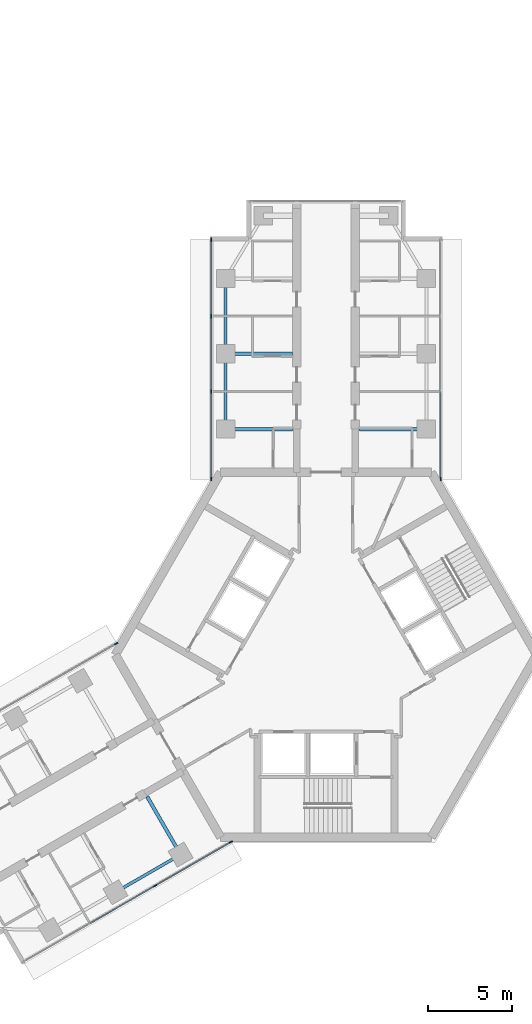
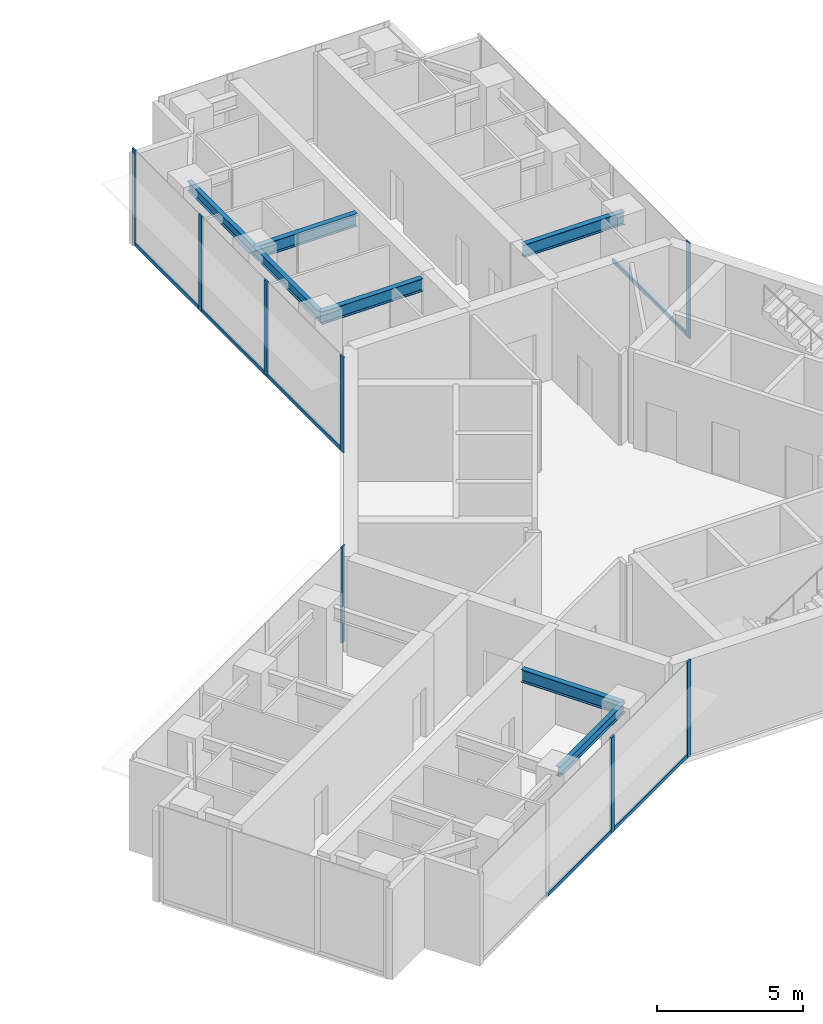
# One storey, part 8 of 18: 14 members, 7 beams, 4 elements without a shape of their own.
"""IFC4 building model written with IfcOpenShell, lengths in metres."""

import ifcopenshell
import ifcopenshell.guid

model = None  # the IFC model being written
_history = None  # IfcOwnerHistory: only IFC2X3 demands one
_inside = {}  # id of a spatial element -> (the spatial element, [elements in it])
_under = {}  # id of a project, library or spatial element -> (it, [spatial elements below it])
_declared = {}  # id of a project -> (the project, [libraries it declares])
_typed = {}  # id of a type object -> (the type object, [elements of that type])
_made_of = {}  # id of a material, layer set ... -> (it, [elements and type objects made of it])


def new_model(schema):
    """Start an empty IFC model of exactly this schema.

    Asked for "IFC4X3", IfcOpenShell would pick the latest addendum, in which some entities
    have other attributes; the version numbers below select the first issue.
    IFC2X3 requires an IfcOwnerHistory on every rooted entity: one is made here for all.
    """
    global model, _history
    if schema == "IFC4X3":
        model = ifcopenshell.file(schema_version=(4, 3, 0, 0))
    else:
        model = ifcopenshell.file(schema=schema)
    _inside.clear()
    _under.clear()
    _declared.clear()
    _typed.clear()
    _made_of.clear()
    _history = None
    if model.schema == "IFC2X3":
        org = make("IfcOrganization", Name="unknown")
        user = make(
            "IfcPersonAndOrganization",
            ThePerson=make("IfcPerson", FamilyName="unknown"),
            TheOrganization=org,
        )
        app = make(
            "IfcApplication",
            ApplicationDeveloper=org,
            Version="unknown",
            ApplicationFullName="unknown",
            ApplicationIdentifier="unknown",
        )
        _history = make(
            "IfcOwnerHistory",
            OwningUser=user,
            OwningApplication=app,
            ChangeAction="ADDED",
            CreationDate=0,
        )
    return model


def make(cls, **values):
    """One entity of the class cls with the attributes given. An attribute that is None is left unset."""
    return model.create_entity(
        cls, **{name: value for name, value in values.items() if value is not None}
    )


def rooted(cls, **values):
    """An entity with a GlobalId (a new one), such as an element, a storey or a relation."""
    return make(cls, GlobalId=ifcopenshell.guid.new(), OwnerHistory=_history, **values)


def si_unit(unit_type, name, prefix=None):
    """IfcSIUnit, for example si_unit("LENGTHUNIT", "METRE", prefix="MILLI")."""
    return make("IfcSIUnit", UnitType=unit_type, Prefix=prefix, Name=name)


def assignment(units):
    """IfcUnitAssignment: the units of a project."""
    return None if units is None else make("IfcUnitAssignment", Units=units)


def point(xyz):
    """IfcCartesianPoint."""
    return None if xyz is None else make("IfcCartesianPoint", Coordinates=xyz)


def direction(xyz):
    """IfcDirection."""
    return None if xyz is None else make("IfcDirection", DirectionRatios=xyz)


def frame(location, z_axis=None, x_axis=None):
    """IfcAxis2Placement3D, a coordinate frame: its origin and axes. An axis left out is left unset."""
    return make(
        "IfcAxis2Placement3D",
        Location=point(location),
        Axis=direction(z_axis),
        RefDirection=direction(x_axis),
    )


def frame_2d(location, x_axis=None):
    """IfcAxis2Placement2D, a coordinate frame in the plane: its origin and x axis."""
    return make(
        "IfcAxis2Placement2D", Location=point(location), RefDirection=direction(x_axis)
    )


def origin():
    """The frame at (0, 0, 0) with its axes left unset."""
    return frame((0.0, 0.0, 0.0))


def origin_2d():
    """The frame at (0, 0) in the plane with its x axis left unset."""
    return frame_2d((0.0, 0.0))


def place(relative_to, where):
    """IfcLocalPlacement: puts the frame where relative to a parent placement (None: the world)."""
    return make(
        "IfcLocalPlacement", PlacementRelTo=relative_to, RelativePlacement=where
    )


def context(
    kind, dimensions, precision=None, world=None, true_north=None, identifier=None
):
    """IfcGeometricRepresentationContext, for example the 3D "Model" context."""
    return make(
        "IfcGeometricRepresentationContext",
        ContextIdentifier=identifier,
        ContextType=kind,
        CoordinateSpaceDimension=dimensions,
        Precision=precision,
        WorldCoordinateSystem=world,
        TrueNorth=true_north,
    )


def subcontext(parent, identifier, kind, view, scale=None):
    """IfcGeometricRepresentationSubContext, for example "Body" below "Model"."""
    return make(
        "IfcGeometricRepresentationSubContext",
        ContextIdentifier=identifier,
        ContextType=kind,
        ParentContext=parent,
        TargetScale=scale,
        TargetView=view,
    )


def project(units=None, contexts=None):
    """IfcProject with its units and contexts."""
    return rooted(
        "IfcProject",
        Name="project",
        RepresentationContexts=contexts,
        UnitsInContext=assignment(units),
    )


def spatial(cls, under=None, at=None, **own):
    """A site, building, storey or space (cls), placed at a placement, below another one or the project."""
    s = rooted(cls, ObjectPlacement=at, **own)
    if under is not None:
        _under.setdefault(under.id(), (under, []))[1].append(s)
    return s


def profile(cls, at=None, kind="AREA", **sizes):
    """A parametric profile (cls). Its sizes go by their IFC names, for example OverallWidth=200.0."""
    return make(cls, ProfileType=kind, Position=at, **sizes)


def rectangle(**sizes):
    """IfcRectangleProfileDef."""
    return profile("IfcRectangleProfileDef", **sizes)


def i_section(**sizes):
    """IfcIShapeProfileDef."""
    return profile("IfcIShapeProfileDef", **sizes)


def extrude(swept, where, along, depth):
    """IfcExtrudedAreaSolid: the profile swept, set in the frame where, extruded along a direction by depth."""
    return make(
        "IfcExtrudedAreaSolid",
        SweptArea=swept,
        Position=where,
        ExtrudedDirection=direction(along),
        Depth=depth,
    )


def shape(context_of_items, identifier, shape_type, items):
    """IfcShapeRepresentation: the items that make up one representation, for example the "Body"."""
    return make(
        "IfcShapeRepresentation",
        ContextOfItems=context_of_items,
        RepresentationIdentifier=identifier,
        RepresentationType=shape_type,
        Items=items,
    )


def material(Name=None, Category=None):
    """IfcMaterial."""
    return make("IfcMaterial", Name=Name, Category=Category)


def material_profile(
    of_material, cross_section, Name=None, Category=None, Priority=None
):
    """IfcMaterialProfile: a cross section and its material."""
    return make(
        "IfcMaterialProfile",
        Name=Name,
        Material=of_material,
        Profile=cross_section,
        Priority=Priority,
        Category=Category,
    )


def profile_set(profiles, Name=None, composite=None):
    """IfcMaterialProfileSet."""
    return make(
        "IfcMaterialProfileSet",
        Name=Name,
        MaterialProfiles=profiles,
        CompositeProfile=composite,
    )


def made_of(thing, what):
    """Note that an element or type object is made of a material, layer set ...; save() writes the relation."""
    if what is not None:
        _made_of.setdefault(what.id(), (what, []))[1].append(thing)
    return thing


def type_object(cls, material=None, **own):
    """A type object (cls), such as IfcWallType, which elements share."""
    return made_of(rooted(cls, **own), material)


def element(
    cls,
    number,
    at=None,
    inside=None,
    cuts=None,
    type_object=None,
    material=None,
    context=None,
    identifier="Body",
    shape_type=None,
    held_by="IfcProductDefinitionShape",
    body=None,
    shapes=None,
    **own,
):
    """One element of the class cls, such as IfcWall. Its Tag is "e" and its number.

    at: its placement. inside: the storey or other place that contains it. cuts: it is an
    opening in that element (IfcRelVoidsElement). A single representation is given by context,
    identifier, shape_type and body (its items); several are given by shapes. held_by: the class
    of the entity that holds the representations. save() writes the other relations.
    """
    e = rooted(cls, Tag="e%d" % number, ObjectPlacement=at, **own)
    if body is not None:
        shapes = [shape(context, identifier, shape_type, body)]
    if shapes is not None:
        e.Representation = make(held_by, Representations=shapes)
    if inside is not None:
        _inside.setdefault(inside.id(), (inside, []))[1].append(e)
    if cuts is not None:
        rooted(
            "IfcRelVoidsElement", RelatingBuildingElement=cuts, RelatedOpeningElement=e
        )
    if type_object is not None:
        _typed.setdefault(type_object.id(), (type_object, []))[1].append(e)
    return made_of(e, material)


def aggregate(whole, parts):
    """IfcRelAggregates: a whole, such as a stair, and the parts it consists of."""
    return rooted("IfcRelAggregates", RelatingObject=whole, RelatedObjects=parts)


def save(model, path):
    """Write the relations noted so far, then the file.

    IfcRelAggregates (storeys below a building ...), IfcRelContainedInSpatialStructure (elements
    in a storey), IfcRelDefinesByType, IfcRelAssociatesMaterial and IfcRelDeclares: one each for
    every whole, place, type object, material and project.
    """
    for whole, parts in _under.values():
        aggregate(whole, parts)
    for where, things in _inside.values():
        rooted(
            "IfcRelContainedInSpatialStructure",
            RelatedElements=things,
            RelatingStructure=where,
        )
    for kind, things in _typed.values():
        rooted("IfcRelDefinesByType", RelatedObjects=things, RelatingType=kind)
    for what, things in _made_of.values():
        rooted("IfcRelAssociatesMaterial", RelatedObjects=things, RelatingMaterial=what)
    for by, libraries in _declared.values():
        rooted("IfcRelDeclares", RelatingContext=by, RelatedDefinitions=libraries)
    model.write(path)


model = new_model("IFC4")

# Units and contexts
model_context = context("Model", 3, precision=1e-05, world=origin(), true_north=direction((0.0, 1.0)))
body_context = subcontext(model_context, "Body", "Model", "MODEL_VIEW")
ifc_project = project(units=[si_unit("LENGTHUNIT", "METRE"), si_unit("AREAUNIT", "SQUARE_METRE"), si_unit("VOLUMEUNIT", "CUBIC_METRE"), si_unit("PLANEANGLEUNIT", "RADIAN"), si_unit("MASSUNIT", "GRAM", prefix="KILO")], contexts=[model_context])

# Site, building, storey
site_placement = place(None, origin())
site = spatial("IfcSite", under=ifc_project, at=site_placement, CompositionType="ELEMENT")
building_placement = place(site_placement, origin())
building = spatial("IfcBuilding", under=site, at=building_placement, Name="Upepo Twin Towers", CompositionType="ELEMENT")
storey_placement = place(building_placement, frame((0.0, 0.0, 226.5)))
storey = spatial("IfcBuildingStorey", under=building, at=storey_placement, Name="L55", CompositionType="ELEMENT", Elevation=226.5)

# Beams
ifc_material_1 = material(Name="Steel S355", Category="steel")
ifc_material_profile_1 = material_profile(ifc_material_1, i_section(OverallWidth=0.177978515625, OverallDepth=0.406494140625, WebThickness=0.0078125, FlangeThickness=0.0126953125, FilletRadius=0.01025390625, at=origin_2d()), Name="UB 406x178x60")
ifc_profile_set_1 = profile_set([ifc_material_profile_1], Name="Steel S355")
beam_type_1 = type_object("IfcBeamType", Name="Beam UB 406x178x60", PredefinedType="BEAM", material=ifc_profile_set_1)
for number, where, z_axis, x_axis, name in (
    (1, (52.5, -4.5, 3.5966796875), (0.0, 1.0, 0.0), (-1.0, 0.0, 0.0), "T2 edge beam AL 13.5-18.0"),
    (2, (52.5, 0.0, 3.5966796875), (0.0, 1.0, 0.0), (-1.0, 0.0, 0.0), "T2 edge beam AL 18.0-22.5"),
):
    element("IfcBeam", number, at=place(storey_placement, frame(where, z_axis=z_axis, x_axis=x_axis)), inside=storey, type_object=beam_type_1, Name=name, PredefinedType="BEAM", context=body_context, shape_type="SweptSolid", body=[
        extrude(i_section(OverallWidth=0.177978515625, OverallDepth=0.406494140625, WebThickness=0.0078125, FlangeThickness=0.0126953125, FilletRadius=0.01025390625, at=origin_2d()), origin(), (0.0, 0.0, 1.0), 4.5),
    ])
beam_placement = place(storey_placement, frame((49.80859375, -29.946044921875, 3.5966796875), z_axis=(-0.866017533419, -0.500013631625, 0.0), x_axis=(0.500013631625, -0.866017533419, 0.0)))
element("IfcBeam", 3, at=beam_placement, inside=storey, type_object=beam_type_1, Name="T2 edge beam BL 13.5-18.0", PredefinedType="BEAM", context=body_context, shape_type="SweptSolid", body=[
    extrude(i_section(OverallWidth=0.177978515625, OverallDepth=0.406494140625, WebThickness=0.0078125, FlangeThickness=0.0126953125, FilletRadius=0.01025390625, at=origin_2d()), origin(), (0.0, 0.0, 1.0), 4.499755859375),
])
ifc_material_2 = material(Name="Steel S355", Category="steel")
ifc_material_profile_2 = material_profile(ifc_material_2, i_section(OverallWidth=0.209228515625, OverallDepth=0.533203125, WebThickness=0.010009765625, FlangeThickness=0.015625, FilletRadius=0.0126953125, at=origin_2d()), Name="UB 533x210x92")
ifc_profile_set_2 = profile_set([ifc_material_profile_2], Name="Steel S355")
beam_type_2 = type_object("IfcBeamType", Name="Beam UB 533x210x92", PredefinedType="BEAM", material=ifc_profile_set_2)
for number, where, z_axis, x_axis, name in (
    (4, (52.5, -4.5, 3.533447265625), (1.0, 0.0, 0.0), (0.0, 1.0, 0.0), "T2 girder AL at 13.5"),
    (5, (52.5, 0.0, 3.533447265625), (1.0, 0.0, 0.0), (0.0, 1.0, 0.0), "T2 girder AL at 18.0"),
    (6, (64.5, -4.5, 3.533447265625), (-1.0, 0.0, 0.0), (0.0, -1.0, 0.0), "T2 girder AR at 13.5"),
    (7, (49.80859375, -29.946044921875, 3.533447265625), (-0.49999894854, 0.866026010844, 0.0), (-0.866026010844, -0.49999894854, 0.0), "T2 girder BL at 13.5"),
):
    element("IfcBeam", number, at=place(storey_placement, frame(where, z_axis=z_axis, x_axis=x_axis)), inside=storey, type_object=beam_type_2, Name=name, PredefinedType="BEAM", context=body_context, shape_type="SweptSolid", body=[
        extrude(i_section(OverallWidth=0.209228515625, OverallDepth=0.533203125, WebThickness=0.010009765625, FlangeThickness=0.015625, FilletRadius=0.0126953125, at=origin_2d()), origin(), (0.0, 0.0, 1.0), 4.0),
    ])

# Curtain wall, members
ifc_material_3 = material(Name="Aluminium and fritted glass", Category="aluminium")
curtain_wall_type = type_object("IfcCurtainWallType", Name="Tower curtain wall TW3, fritted glass", PredefinedType="NOTDEFINED", material=ifc_material_3)
curtain_wall_1_placement = place(storey_placement, origin())
curtain_wall_1 = element("IfcCurtainWall", 8, at=curtain_wall_1_placement, inside=storey, type_object=curtain_wall_type, Name="T2 L55 wing A flank L curtain wall", PredefinedType="NOTDEFINED")
ifc_material_4 = material(Name="Aluminium mullion", Category="aluminium")
ifc_material_profile_3 = material_profile(ifc_material_4, rectangle(XDim=0.06494140625, YDim=0.22509765625, at=origin_2d()), Name="MULLION 65x225")
ifc_profile_set_3 = profile_set([ifc_material_profile_3], Name="Aluminium mullion")
member_type_1 = type_object("IfcMemberType", Name="Mullion 65x225 TW3", PredefinedType="MULLION", material=ifc_profile_set_3)
member_1_placement = place(storey_placement, frame((51.64990234375, -7.48046875, 0.0), z_axis=(0.0, 0.0, 1.0), x_axis=(-1.0, 0.0, 0.0)))
member_1 = element("IfcMember", 9, at=member_1_placement, type_object=member_type_1, Name="T2 L55 wing A flank L curtain wall mullion 1", PredefinedType="MULLION", context=body_context, shape_type="SweptSolid", body=[
    extrude(rectangle(XDim=0.06494140625, YDim=0.22509765625, at=origin_2d()), origin(), (0.0, 0.0, 1.0), 4.0),
])
member_2_placement = place(storey_placement, frame((51.64990234375, -2.25, 0.0), z_axis=(0.0, 0.0, 1.0), x_axis=(-1.0, 0.0, 0.0)))
member_2 = element("IfcMember", 10, at=member_2_placement, type_object=member_type_1, Name="T2 L55 wing A flank L curtain wall mullion 2", PredefinedType="MULLION", context=body_context, shape_type="SweptSolid", body=[
    extrude(rectangle(XDim=0.06494140625, YDim=0.22509765625, at=origin_2d()), origin(), (0.0, 0.0, 1.0), 4.0),
])
member_3_placement = place(storey_placement, frame((51.64990234375, 2.25, 0.0), z_axis=(0.0, 0.0, 1.0), x_axis=(-1.0, 0.0, 0.0)))
member_3 = element("IfcMember", 11, at=member_3_placement, type_object=member_type_1, Name="T2 L55 wing A flank L curtain wall mullion 3", PredefinedType="MULLION", context=body_context, shape_type="SweptSolid", body=[
    extrude(rectangle(XDim=0.06494140625, YDim=0.22509765625, at=origin_2d()), origin(), (0.0, 0.0, 1.0), 4.0),
])
member_4_placement = place(storey_placement, frame((51.64990234375, 6.8173828125, 0.0), z_axis=(0.0, 0.0, 1.0), x_axis=(-1.0, 0.0, 0.0)))
member_4 = element("IfcMember", 12, at=member_4_placement, type_object=member_type_1, Name="T2 L55 wing A flank L curtain wall mullion 4", PredefinedType="MULLION", context=body_context, shape_type="SweptSolid", body=[
    extrude(rectangle(XDim=0.06494140625, YDim=0.22509765625, at=origin_2d()), origin(), (0.0, 0.0, 1.0), 4.0),
])

# Curtain wall, member
curtain_wall_2_placement = place(storey_placement, origin())
curtain_wall_2 = element("IfcCurtainWall", 13, at=curtain_wall_2_placement, inside=storey, type_object=curtain_wall_type, Name="T2 L55 wing A flank R curtain wall", PredefinedType="NOTDEFINED")
member_5_placement = place(storey_placement, frame((65.35009765625, -7.48046875, 0.0), z_axis=(0.0, 0.0, 1.0), x_axis=(1.0, 0.0, 0.0)))
member_5 = element("IfcMember", 14, at=member_5_placement, type_object=member_type_1, Name="T2 L55 wing A flank R curtain wall mullion 4", PredefinedType="MULLION", context=body_context, shape_type="SweptSolid", body=[
    extrude(rectangle(XDim=0.06494140625, YDim=0.22509765625, at=origin_2d()), origin(), (0.0, 0.0, 1.0), 4.0),
])

# Curtain wall, members
curtain_wall_3_placement = place(storey_placement, origin())
curtain_wall_3 = element("IfcCurtainWall", 15, at=curtain_wall_3_placement, inside=storey, type_object=curtain_wall_type, Name="T2 L55 wing B flank L curtain wall", PredefinedType="NOTDEFINED")
member_6_placement = place(storey_placement, frame((52.814697265625, -29.192138671875, 0.0), z_axis=(0.0, 0.0, 1.0), x_axis=(0.500000026527, -0.866025388469, 0.0)))
member_6 = element("IfcMember", 16, at=member_6_placement, type_object=member_type_1, Name="T2 L55 wing B flank L curtain wall mullion 1", PredefinedType="MULLION", context=body_context, shape_type="SweptSolid", body=[
    extrude(rectangle(XDim=0.06494140625, YDim=0.22509765625, at=origin_2d()), origin(), (0.0, 0.0, 1.0), 4.0),
])
member_7_placement = place(storey_placement, frame((48.28515625, -31.807373046875, 0.0), z_axis=(0.0, 0.0, 1.0), x_axis=(0.500000026527, -0.866025388469, 0.0)))
member_7 = element("IfcMember", 17, at=member_7_placement, type_object=member_type_1, Name="T2 L55 wing B flank L curtain wall mullion 2", PredefinedType="MULLION", context=body_context, shape_type="SweptSolid", body=[
    extrude(rectangle(XDim=0.06494140625, YDim=0.22509765625, at=origin_2d()), origin(), (0.0, 0.0, 1.0), 4.0),
])

# Curtain wall, member
curtain_wall_4_placement = place(storey_placement, origin())
curtain_wall_4 = element("IfcCurtainWall", 18, at=curtain_wall_4_placement, inside=storey, type_object=curtain_wall_type, Name="T2 L55 wing B flank R curtain wall", PredefinedType="NOTDEFINED")
member_8_placement = place(storey_placement, frame((45.96484375, -17.32763671875, 0.0), z_axis=(0.0, 0.0, 1.0), x_axis=(-0.500000026527, 0.866025388469, 0.0)))
member_8 = element("IfcMember", 19, at=member_8_placement, type_object=member_type_1, Name="T2 L55 wing B flank R curtain wall mullion 4", PredefinedType="MULLION", context=body_context, shape_type="SweptSolid", body=[
    extrude(rectangle(XDim=0.06494140625, YDim=0.22509765625, at=origin_2d()), origin(), (0.0, 0.0, 1.0), 4.0),
])
aggregate(curtain_wall_4, [member_8])

# Member
ifc_material_5 = material(Name="Aluminium transom", Category="aluminium")
ifc_material_profile_4 = material_profile(ifc_material_5, rectangle(XDim=0.06494140625, YDim=0.14990234375, at=origin_2d()), Name="TRANSOM 65x150")
ifc_profile_set_4 = profile_set([ifc_material_profile_4], Name="Aluminium transom")
member_type_2 = type_object("IfcMemberType", Name="Transom 65x150 TW3", PredefinedType="USERDEFINED", material=ifc_profile_set_4)
member_9_placement = place(storey_placement, frame((51.64990234375, -7.447998046875, 0.074951171875), z_axis=(0.0, 1.0, 0.0), x_axis=(-1.0, 0.0, 0.0)))
member_9 = element("IfcMember", 20, at=member_9_placement, type_object=member_type_2, Name="T2 L55 wing A flank L curtain wall transom 1", ObjectType="TRANSOM", PredefinedType="USERDEFINED", context=body_context, shape_type="SweptSolid", body=[
    extrude(rectangle(XDim=0.06494140625, YDim=0.14990234375, at=origin_2d()), origin(), (0.0, 0.0, 1.0), 5.16552734375),
])

member_10_placement = place(storey_placement, frame((51.64990234375, -2.217529296875, 0.074951171875), z_axis=(0.0, 1.0, 0.0), x_axis=(-1.0, 0.0, 0.0)))
member_10 = element("IfcMember", 21, at=member_10_placement, type_object=member_type_2, Name="T2 L55 wing A flank L curtain wall transom 2", ObjectType="TRANSOM", PredefinedType="USERDEFINED", context=body_context, shape_type="SweptSolid", body=[
    extrude(rectangle(XDim=0.06494140625, YDim=0.14990234375, at=origin_2d()), origin(), (0.0, 0.0, 1.0), 4.43505859375),
])

member_11_placement = place(storey_placement, frame((51.64990234375, 2.282470703125, 0.074951171875), z_axis=(0.0, 1.0, 0.0), x_axis=(-1.0, 0.0, 0.0)))
member_11 = element("IfcMember", 22, at=member_11_placement, type_object=member_type_2, Name="T2 L55 wing A flank L curtain wall transom 3", ObjectType="TRANSOM", PredefinedType="USERDEFINED", context=body_context, shape_type="SweptSolid", body=[
    extrude(rectangle(XDim=0.06494140625, YDim=0.14990234375, at=origin_2d()), origin(), (0.0, 0.0, 1.0), 4.50244140625),
])

aggregate(curtain_wall_1, [member_1, member_2, member_3, member_4, member_9, member_10, member_11])

member_12_placement = place(storey_placement, frame((65.35009765625, -2.282470703125, 0.074951171875), z_axis=(0.0, -1.0, 0.0), x_axis=(1.0, 0.0, 0.0)))
member_12 = element("IfcMember", 23, at=member_12_placement, type_object=member_type_2, Name="T2 L55 wing A flank R curtain wall transom 3", ObjectType="TRANSOM", PredefinedType="USERDEFINED", context=body_context, shape_type="SweptSolid", body=[
    extrude(rectangle(XDim=0.06494140625, YDim=0.14990234375, at=origin_2d()), origin(), (0.0, 0.0, 1.0), 5.16552734375),
])

aggregate(curtain_wall_2, [member_5, member_12])

member_13_placement = place(storey_placement, frame((52.78662109375, -29.208251953125, 0.074951171875), z_axis=(-0.86602108507, -0.500007480159, 0.0), x_axis=(0.500007480159, -0.86602108507, 0.0)))
member_13 = element("IfcMember", 24, at=member_13_placement, type_object=member_type_2, Name="T2 L55 wing B flank L curtain wall transom 1", ObjectType="TRANSOM", PredefinedType="USERDEFINED", context=body_context, shape_type="SweptSolid", body=[
    extrude(rectangle(XDim=0.06494140625, YDim=0.14990234375, at=origin_2d()), origin(), (0.0, 0.0, 1.0), 5.16552734375),
])

member_14_placement = place(storey_placement, frame((48.2568359375, -31.823486328125, 0.074951171875), z_axis=(-0.866022410713, -0.500005184116, 0.0), x_axis=(0.500005184116, -0.866022410713, 0.0)))
member_14 = element("IfcMember", 25, at=member_14_placement, type_object=member_type_2, Name="T2 L55 wing B flank L curtain wall transom 2", ObjectType="TRANSOM", PredefinedType="USERDEFINED", context=body_context, shape_type="SweptSolid", body=[
    extrude(rectangle(XDim=0.06494140625, YDim=0.14990234375, at=origin_2d()), origin(), (0.0, 0.0, 1.0), 4.43505859375),
])

aggregate(curtain_wall_3, [member_6, member_7, member_13, member_14])

save(model, "model.ifc")
